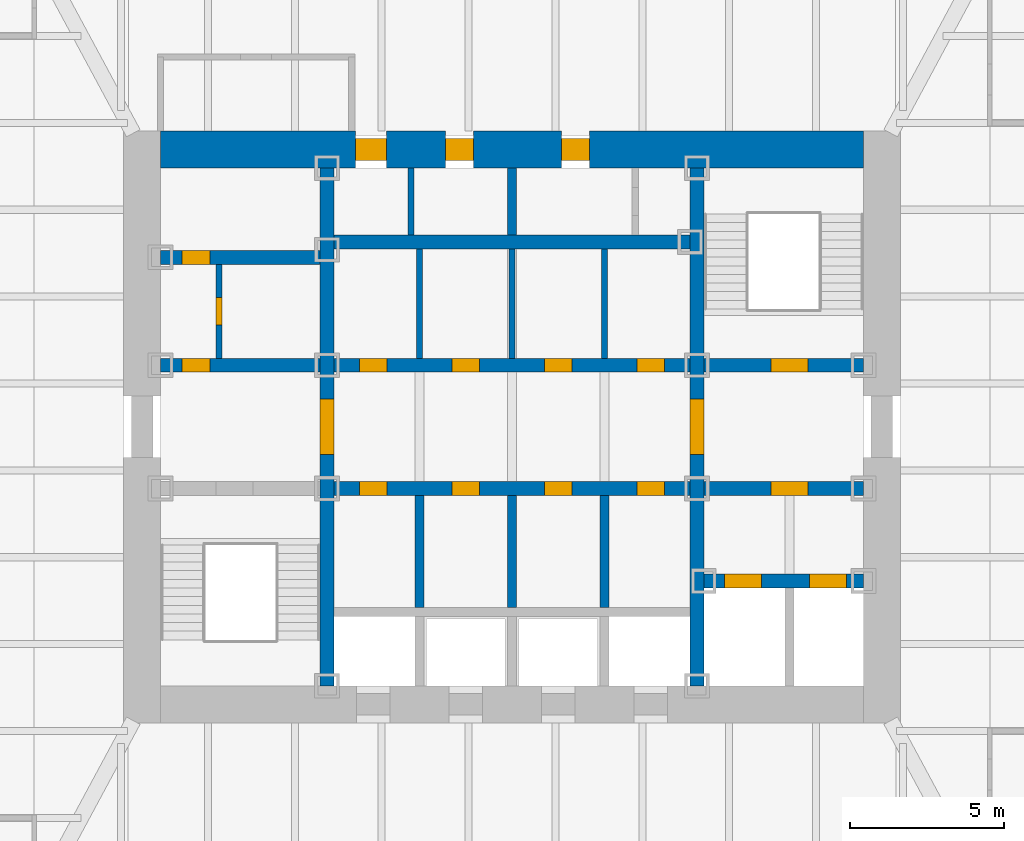
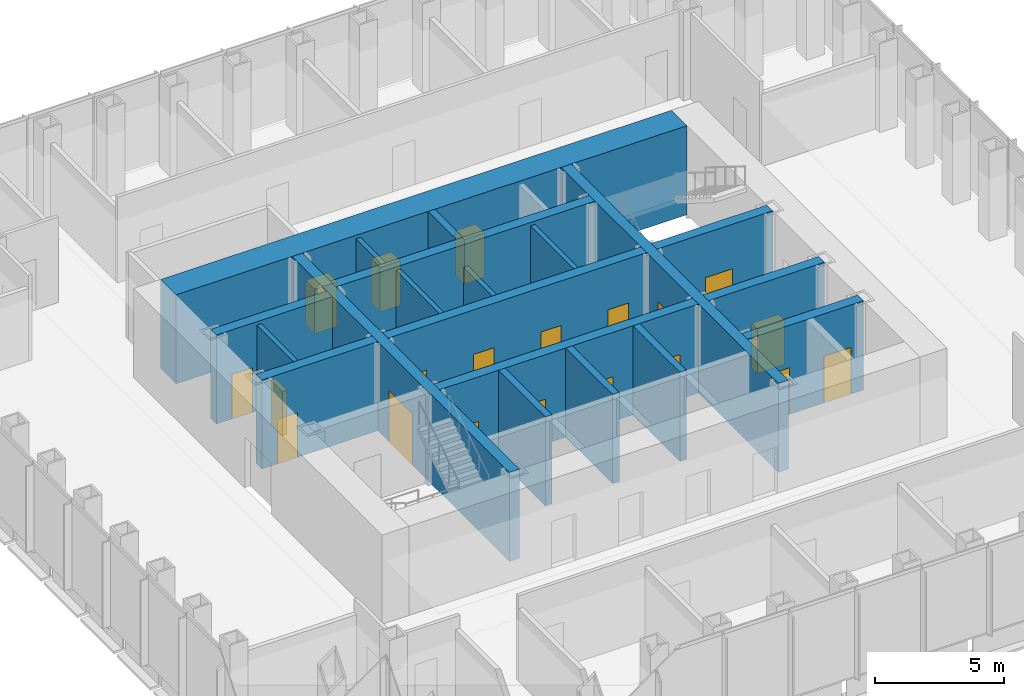
# One storey, part 9 of 16: 20 doors, 20 walls, 20 openings.
"""IFC4 building model written with IfcOpenShell, lengths in metres."""

from ifc_helpers import new_model, si_unit, direction, frame, frame_2d, origin, place, context, subcontext, project, spatial, rectangle, extrude, material, layer, layer_set, type_object, element, fill, save


model = new_model("IFC4")

# Units and contexts
model_context = context("Model", 3, precision=1e-05, world=origin(), true_north=direction((0.0, 1.0)))
body_context = subcontext(model_context, "Body", "Model", "MODEL_VIEW")
ifc_project = project(units=[si_unit("LENGTHUNIT", "METRE"), si_unit("AREAUNIT", "SQUARE_METRE"), si_unit("VOLUMEUNIT", "CUBIC_METRE"), si_unit("PLANEANGLEUNIT", "RADIAN"), si_unit("MASSUNIT", "GRAM", prefix="KILO")], contexts=[model_context])

# Site, building, storey
site_placement = place(None, origin())
site = spatial("IfcSite", under=ifc_project, at=site_placement, CompositionType="ELEMENT")
building_placement = place(site_placement, origin())
building = spatial("IfcBuilding", under=site, at=building_placement, Name="Daluyong Arena Tower", CompositionType="ELEMENT")
storey_placement = place(building_placement, frame((0.0, 0.0, 219.10009765625)))
storey = spatial("IfcBuildingStorey", under=building, at=storey_placement, Name="L49", CompositionType="ELEMENT", Elevation=219.10009765625)

# Wall, opening, door
ifc_material_1 = material(Name="Concrete fc' 45 MPa", Category="concrete")
ifc_layer_1 = layer(ifc_material_1, 0.449951171875)
ifc_layer_set_1 = layer_set([ifc_layer_1], Name="Concrete fc' 45 MPa")
wall_type_1 = type_object("IfcWallType", Name="Core inner wall 450", PredefinedType="SHEAR", material=ifc_layer_set_1)
wall_1_placement = place(storey_placement, frame((50.0, 71.60009765625, 0.0), z_axis=(0.0, 0.0, 1.0), x_axis=(0.0, 1.0, 0.0)))
wall_1 = element("IfcWall", 1, at=wall_1_placement, inside=storey, type_object=wall_type_1, Name="core inner wall at L49", PredefinedType="SHEAR", context=body_context, shape_type="SweptSolid", body=[
    extrude(rectangle(XDim=16.7998046875, YDim=0.449951171875, at=frame_2d((8.39990234375, 0.0))), origin(), (0.0, 0.0, 1.0), 4.199951171875),
])
opening_1_placement = place(wall_1_placement, frame((7.5, 0.0, 0.0)))
opening_1 = element("IfcOpeningElement", 2, at=opening_1_placement, cuts=wall_1, Name="Opening 49020", PredefinedType="OPENING", context=body_context, shape_type="SweptSolid", body=[
    extrude(rectangle(XDim=1.800048828125, YDim=2.39990234375, at=frame_2d((0.89990234375, 1.199951171875))), frame((0.0, 0.23486328125, 0.0), z_axis=(0.0, -1.0, 0.0), x_axis=(1.0, 0.0, 0.0)), (0.0, 0.0, 1.0), 0.469970703125),
])
ifc_material_2 = material(Name="Steel door, fire rated", Category="steel")
door_type_1 = type_object("IfcDoorType", Name="Lift lobby opening door 1800", OperationType="DOUBLE_DOOR_SINGLE_SWING", PredefinedType="DOOR", material=ifc_material_2)
door_1_placement = place(opening_1_placement, origin())
door_1 = element("IfcDoor", 3, at=door_1_placement, inside=storey, type_object=door_type_1, Name="lift lobby door west 49020", OperationType="DOUBLE_DOOR_SINGLE_SWING", OverallHeight=2.39990234375, OverallWidth=1.800048828125, PredefinedType="DOOR", context=body_context, shape_type="SweptSolid", body=[
    extrude(rectangle(XDim=1.800048828125, YDim=2.39990234375, at=frame_2d((0.89990234375, 1.199951171875))), frame((0.0, 0.224609375, 0.0), z_axis=(0.0, -1.0, 0.0), x_axis=(1.0, 0.0, 0.0)), (0.0, 0.0, 1.0), 0.449462890625),
])
fill(opening_1, door_1)

wall_2_placement = place(storey_placement, frame((62.0, 71.60009765625, 0.0), z_axis=(0.0, 0.0, 1.0), x_axis=(0.0, 1.0, 0.0)))
wall_2 = element("IfcWall", 4, at=wall_2_placement, inside=storey, type_object=wall_type_1, Name="core inner wall at L49", PredefinedType="SHEAR", context=body_context, shape_type="SweptSolid", body=[
    extrude(rectangle(XDim=16.7998046875, YDim=0.449951171875, at=frame_2d((8.39990234375, 0.0))), origin(), (0.0, 0.0, 1.0), 4.199951171875),
])
opening_2_placement = place(wall_2_placement, frame((7.5, 0.0, 0.0)))
opening_2 = element("IfcOpeningElement", 5, at=opening_2_placement, cuts=wall_2, Name="Opening 49021", PredefinedType="OPENING", context=body_context, shape_type="SweptSolid", body=[
    extrude(rectangle(XDim=1.800048828125, YDim=2.39990234375, at=frame_2d((0.89990234375, 1.199951171875))), frame((0.0, 0.23486328125, 0.0), z_axis=(0.0, -1.0, 0.0), x_axis=(1.0, 0.0, 0.0)), (0.0, 0.0, 1.0), 0.469970703125),
])
door_2_placement = place(opening_2_placement, origin())
door_2 = element("IfcDoor", 6, at=door_2_placement, inside=storey, type_object=door_type_1, Name="lift lobby door east 49021", OperationType="DOUBLE_DOOR_SINGLE_SWING", OverallHeight=2.39990234375, OverallWidth=1.800048828125, PredefinedType="DOOR", context=body_context, shape_type="SweptSolid", body=[
    extrude(rectangle(XDim=1.800048828125, YDim=2.39990234375, at=frame_2d((0.89990234375, 1.199951171875))), frame((0.0, 0.224609375, 0.0), z_axis=(0.0, -1.0, 0.0), x_axis=(1.0, 0.0, 0.0)), (0.0, 0.0, 1.0), 0.449462890625),
])
fill(opening_2, door_2)

wall_3_placement = place(storey_placement, frame((44.60009765625, 82.0, 0.0), z_axis=(0.0, 0.0, 1.0), x_axis=(1.0, 0.0, 0.0)))
wall_3 = element("IfcWall", 7, at=wall_3_placement, inside=storey, type_object=wall_type_1, Name="core inner wall at L49", PredefinedType="SHEAR", context=body_context, shape_type="SweptSolid", body=[
    extrude(rectangle(XDim=5.1748046875, YDim=0.449951171875, at=frame_2d((2.58740234375, 0.0))), origin(), (0.0, 0.0, 1.0), 4.199951171875),
])
opening_3_placement = place(wall_3_placement, frame((0.699951171875, 0.0, 0.0)))
opening_3 = element("IfcOpeningElement", 8, at=opening_3_placement, cuts=wall_3, Name="Opening 49001", PredefinedType="OPENING", context=body_context, shape_type="SweptSolid", body=[
    extrude(rectangle(XDim=0.89990234375, YDim=2.10009765625, at=frame_2d((0.449951171875, 1.050048828125))), frame((0.0, 0.23486328125, 0.0), z_axis=(0.0, -1.0, 0.0), x_axis=(1.0, 0.0, 0.0)), (0.0, 0.0, 1.0), 0.469970703125),
])
ifc_material_3 = material(Name="Steel door, fire rated", Category="steel")
door_type_2 = type_object("IfcDoorType", Name="Core room door 900", OperationType="SINGLE_SWING_LEFT", PredefinedType="DOOR", material=ifc_material_3)
door_3_placement = place(opening_3_placement, origin())
door_3 = element("IfcDoor", 9, at=door_3_placement, inside=storey, type_object=door_type_2, Name="toilet lobby door 49001", OperationType="SINGLE_SWING_LEFT", OverallHeight=2.10009765625, OverallWidth=0.89990234375, PredefinedType="DOOR", context=body_context, shape_type="SweptSolid", body=[
    extrude(rectangle(XDim=0.89990234375, YDim=2.10009765625, at=frame_2d((0.449951171875, 1.050048828125))), frame((0.0, 0.224609375, 0.0), z_axis=(0.0, -1.0, 0.0), x_axis=(1.0, 0.0, 0.0)), (0.0, 0.0, 1.0), 0.449462890625),
])
fill(opening_3, door_3)

wall_4_placement = place(storey_placement, frame((44.60009765625, 85.5, 0.0), z_axis=(0.0, 0.0, 1.0), x_axis=(1.0, 0.0, 0.0)))
wall_4 = element("IfcWall", 10, at=wall_4_placement, inside=storey, type_object=wall_type_1, Name="core inner wall at L49", PredefinedType="SHEAR", context=body_context, shape_type="SweptSolid", body=[
    extrude(rectangle(XDim=5.1748046875, YDim=0.449951171875, at=frame_2d((2.58740234375, 0.0))), origin(), (0.0, 0.0, 1.0), 4.199951171875),
])
opening_4_placement = place(wall_4_placement, frame((0.699951171875, 0.0, 0.0)))
opening_4 = element("IfcOpeningElement", 11, at=opening_4_placement, cuts=wall_4, Name="Opening 49003", PredefinedType="OPENING", context=body_context, shape_type="SweptSolid", body=[
    extrude(rectangle(XDim=0.89990234375, YDim=2.10009765625, at=frame_2d((0.449951171875, 1.050048828125))), frame((0.0, 0.23486328125, 0.0), z_axis=(0.0, -1.0, 0.0), x_axis=(1.0, 0.0, 0.0)), (0.0, 0.0, 1.0), 0.469970703125),
])
ifc_material_4 = material(Name="Timber door", Category="wood")
door_type_3 = type_object("IfcDoorType", Name="Toilet door 900", OperationType="SINGLE_SWING_RIGHT", PredefinedType="DOOR", material=ifc_material_4)
door_4_placement = place(opening_4_placement, origin())
door_4 = element("IfcDoor", 12, at=door_4_placement, inside=storey, type_object=door_type_3, Name="female toilet door 49003", OperationType="SINGLE_SWING_RIGHT", OverallHeight=2.10009765625, OverallWidth=0.89990234375, PredefinedType="DOOR", context=body_context, shape_type="SweptSolid", body=[
    extrude(rectangle(XDim=0.89990234375, YDim=2.10009765625, at=frame_2d((0.449951171875, 1.050048828125))), frame((0.0, 0.224609375, 0.0), z_axis=(0.0, -1.0, 0.0), x_axis=(1.0, 0.0, 0.0)), (0.0, 0.0, 1.0), 0.449462890625),
])
fill(opening_4, door_4)

# Wall, openings, doors
wall_5_placement = place(storey_placement, frame((62.22509765625, 75.0, 0.0), z_axis=(0.0, 0.0, 1.0), x_axis=(1.0, 0.0, 0.0)))
wall_5 = element("IfcWall", 13, at=wall_5_placement, inside=storey, type_object=wall_type_1, Name="core inner wall at L49", PredefinedType="SHEAR", context=body_context, shape_type="SweptSolid", body=[
    extrude(rectangle(XDim=5.1748046875, YDim=0.449951171875, at=frame_2d((2.58740234375, 0.0))), origin(), (0.0, 0.0, 1.0), 4.199951171875),
])
opening_5_placement = place(wall_5_placement, frame((0.675048828125, 0.0, 0.0)))
opening_5 = element("IfcOpeningElement", 14, at=opening_5_placement, cuts=wall_5, Name="Opening 49027", PredefinedType="OPENING", context=body_context, shape_type="SweptSolid", body=[
    extrude(rectangle(XDim=1.199951171875, YDim=2.199951171875, at=frame_2d((0.60009765625, 1.10009765625))), frame((0.0, 0.23486328125, 0.0), z_axis=(0.0, -1.0, 0.0), x_axis=(1.0, 0.0, 0.0)), (0.0, 0.0, 1.0), 0.469970703125),
])
opening_6_placement = place(wall_5_placement, frame((3.425048828125, 0.0, 0.0)))
opening_6 = element("IfcOpeningElement", 15, at=opening_6_placement, cuts=wall_5, Name="Opening 49028", PredefinedType="OPENING", context=body_context, shape_type="SweptSolid", body=[
    extrude(rectangle(XDim=1.199951171875, YDim=2.199951171875, at=frame_2d((0.60009765625, 1.10009765625))), frame((0.0, 0.23486328125, 0.0), z_axis=(0.0, -1.0, 0.0), x_axis=(1.0, 0.0, 0.0)), (0.0, 0.0, 1.0), 0.469970703125),
])
ifc_material_5 = material(Name="Steel door, fire rated", Category="steel")
door_type_4 = type_object("IfcDoorType", Name="Firefighting lift landing door 1200", OperationType="SLIDING_TO_LEFT", PredefinedType="DOOR", material=ifc_material_5)
door_5_placement = place(opening_5_placement, origin())
door_5 = element("IfcDoor", 16, at=door_5_placement, inside=storey, type_object=door_type_4, Name="firefighting lift landing door F1 49027", OperationType="SLIDING_TO_LEFT", OverallHeight=2.199951171875, OverallWidth=1.199951171875, PredefinedType="DOOR", context=body_context, shape_type="SweptSolid", body=[
    extrude(rectangle(XDim=1.199951171875, YDim=2.199951171875, at=frame_2d((0.60009765625, 1.10009765625))), frame((0.0, 0.224609375, 0.0), z_axis=(0.0, -1.0, 0.0), x_axis=(1.0, 0.0, 0.0)), (0.0, 0.0, 1.0), 0.449462890625),
])
fill(opening_5, door_5)
door_6_placement = place(opening_6_placement, origin())
door_6 = element("IfcDoor", 17, at=door_6_placement, inside=storey, type_object=door_type_4, Name="firefighting lift landing door F2 49028", OperationType="SLIDING_TO_LEFT", OverallHeight=2.199951171875, OverallWidth=1.199951171875, PredefinedType="DOOR", context=body_context, shape_type="SweptSolid", body=[
    extrude(rectangle(XDim=1.199951171875, YDim=2.199951171875, at=frame_2d((0.60009765625, 1.10009765625))), frame((0.0, 0.224609375, 0.0), z_axis=(0.0, -1.0, 0.0), x_axis=(1.0, 0.0, 0.0)), (0.0, 0.0, 1.0), 0.449462890625),
])
fill(opening_6, door_6)

# Wall, opening, door
wall_6_placement = place(storey_placement, frame((62.22509765625, 78.0, 0.0), z_axis=(0.0, 0.0, 1.0), x_axis=(1.0, 0.0, 0.0)))
wall_6 = element("IfcWall", 18, at=wall_6_placement, inside=storey, type_object=wall_type_1, Name="core inner wall at L49", PredefinedType="SHEAR", context=body_context, shape_type="SweptSolid", body=[
    extrude(rectangle(XDim=5.1748046875, YDim=0.449951171875, at=frame_2d((2.58740234375, 0.0))), origin(), (0.0, 0.0, 1.0), 4.199951171875),
])
opening_7_placement = place(wall_6_placement, frame((2.175048828125, 0.0, 0.0)))
opening_7 = element("IfcOpeningElement", 19, at=opening_7_placement, cuts=wall_6, Name="Opening 49022", PredefinedType="OPENING", context=body_context, shape_type="SweptSolid", body=[
    extrude(rectangle(XDim=1.199951171875, YDim=2.10009765625, at=frame_2d((0.60009765625, 1.050048828125))), frame((0.0, 0.23486328125, 0.0), z_axis=(0.0, -1.0, 0.0), x_axis=(1.0, 0.0, 0.0)), (0.0, 0.0, 1.0), 0.469970703125),
])
ifc_material_6 = material(Name="Steel door, fire rated", Category="steel")
door_type_5 = type_object("IfcDoorType", Name="Firefighting lobby door 1200", OperationType="SINGLE_SWING_RIGHT", PredefinedType="DOOR", material=ifc_material_6)
door_7_placement = place(opening_7_placement, origin())
door_7 = element("IfcDoor", 20, at=door_7_placement, inside=storey, type_object=door_type_5, Name="firefighting lobby door 49022", OperationType="SINGLE_SWING_RIGHT", OverallHeight=2.10009765625, OverallWidth=1.199951171875, PredefinedType="DOOR", context=body_context, shape_type="SweptSolid", body=[
    extrude(rectangle(XDim=1.199951171875, YDim=2.10009765625, at=frame_2d((0.60009765625, 1.050048828125))), frame((0.0, 0.224609375, 0.0), z_axis=(0.0, -1.0, 0.0), x_axis=(1.0, 0.0, 0.0)), (0.0, 0.0, 1.0), 0.449462890625),
])
fill(opening_7, door_7)

wall_7_placement = place(storey_placement, frame((62.22509765625, 82.0, 0.0), z_axis=(0.0, 0.0, 1.0), x_axis=(1.0, 0.0, 0.0)))
wall_7 = element("IfcWall", 21, at=wall_7_placement, inside=storey, type_object=wall_type_1, Name="core inner wall at L49", PredefinedType="SHEAR", context=body_context, shape_type="SweptSolid", body=[
    extrude(rectangle(XDim=5.1748046875, YDim=0.449951171875, at=frame_2d((2.58740234375, 0.0))), origin(), (0.0, 0.0, 1.0), 4.199951171875),
])
opening_8_placement = place(wall_7_placement, frame((2.175048828125, 0.0, 0.0)))
opening_8 = element("IfcOpeningElement", 22, at=opening_8_placement, cuts=wall_7, Name="Opening 49017", PredefinedType="OPENING", context=body_context, shape_type="SweptSolid", body=[
    extrude(rectangle(XDim=1.199951171875, YDim=2.10009765625, at=frame_2d((0.60009765625, 1.050048828125))), frame((0.0, 0.23486328125, 0.0), z_axis=(0.0, -1.0, 0.0), x_axis=(1.0, 0.0, 0.0)), (0.0, 0.0, 1.0), 0.469970703125),
])
ifc_material_7 = material(Name="Steel door, fire rated", Category="steel")
door_type_6 = type_object("IfcDoorType", Name="Stair door 1200", OperationType="SINGLE_SWING_LEFT", PredefinedType="DOOR", material=ifc_material_7)
door_8_placement = place(opening_8_placement, origin())
door_8 = element("IfcDoor", 23, at=door_8_placement, inside=storey, type_object=door_type_6, Name="stair B door 49017", OperationType="SINGLE_SWING_LEFT", OverallHeight=2.10009765625, OverallWidth=1.199951171875, PredefinedType="DOOR", context=body_context, shape_type="SweptSolid", body=[
    extrude(rectangle(XDim=1.199951171875, YDim=2.10009765625, at=frame_2d((0.60009765625, 1.050048828125))), frame((0.0, 0.224609375, 0.0), z_axis=(0.0, -1.0, 0.0), x_axis=(1.0, 0.0, 0.0)), (0.0, 0.0, 1.0), 0.449462890625),
])
fill(opening_8, door_8)

# Wall, openings, doors
wall_8_placement = place(storey_placement, frame((50.22509765625, 78.0, 0.0), z_axis=(0.0, 0.0, 1.0), x_axis=(1.0, 0.0, 0.0)))
wall_8 = element("IfcWall", 24, at=wall_8_placement, inside=storey, type_object=wall_type_1, Name="core inner wall at L49", PredefinedType="SHEAR", context=body_context, shape_type="SweptSolid", body=[
    extrude(rectangle(XDim=11.5498046875, YDim=0.449951171875, at=frame_2d((5.77490234375, 0.0))), origin(), (0.0, 0.0, 1.0), 4.199951171875),
])
opening_9_placement = place(wall_8_placement, frame((0.824951171875, 0.0, 0.0)))
opening_9 = element("IfcOpeningElement", 25, at=opening_9_placement, cuts=wall_8, Name="Opening 49008", PredefinedType="OPENING", context=body_context, shape_type="SweptSolid", body=[
    extrude(rectangle(XDim=0.89990234375, YDim=2.10009765625, at=frame_2d((0.449951171875, 1.050048828125))), frame((0.0, 0.23486328125, 0.0), z_axis=(0.0, -1.0, 0.0), x_axis=(1.0, 0.0, 0.0)), (0.0, 0.0, 1.0), 0.469970703125),
])
opening_10_placement = place(wall_8_placement, frame((3.824951171875, 0.0, 0.0)))
opening_10 = element("IfcOpeningElement", 26, at=opening_10_placement, cuts=wall_8, Name="Opening 49009", PredefinedType="OPENING", context=body_context, shape_type="SweptSolid", body=[
    extrude(rectangle(XDim=0.89990234375, YDim=2.10009765625, at=frame_2d((0.449951171875, 1.050048828125))), frame((0.0, 0.23486328125, 0.0), z_axis=(0.0, -1.0, 0.0), x_axis=(1.0, 0.0, 0.0)), (0.0, 0.0, 1.0), 0.469970703125),
])
opening_11_placement = place(wall_8_placement, frame((6.824951171875, 0.0, 0.0)))
opening_11 = element("IfcOpeningElement", 27, at=opening_11_placement, cuts=wall_8, Name="Opening 49010", PredefinedType="OPENING", context=body_context, shape_type="SweptSolid", body=[
    extrude(rectangle(XDim=0.89990234375, YDim=2.10009765625, at=frame_2d((0.449951171875, 1.050048828125))), frame((0.0, 0.23486328125, 0.0), z_axis=(0.0, -1.0, 0.0), x_axis=(1.0, 0.0, 0.0)), (0.0, 0.0, 1.0), 0.469970703125),
])
opening_12_placement = place(wall_8_placement, frame((9.824951171875, 0.0, 0.0)))
opening_12 = element("IfcOpeningElement", 28, at=opening_12_placement, cuts=wall_8, Name="Opening 49011", PredefinedType="OPENING", context=body_context, shape_type="SweptSolid", body=[
    extrude(rectangle(XDim=0.89990234375, YDim=2.10009765625, at=frame_2d((0.449951171875, 1.050048828125))), frame((0.0, 0.23486328125, 0.0), z_axis=(0.0, -1.0, 0.0), x_axis=(1.0, 0.0, 0.0)), (0.0, 0.0, 1.0), 0.469970703125),
])
door_9_placement = place(opening_9_placement, origin())
door_9 = element("IfcDoor", 29, at=door_9_placement, inside=storey, type_object=door_type_2, Name="tea point door 49008", OperationType="SINGLE_SWING_LEFT", OverallHeight=2.10009765625, OverallWidth=0.89990234375, PredefinedType="DOOR", context=body_context, shape_type="SweptSolid", body=[
    extrude(rectangle(XDim=0.89990234375, YDim=2.10009765625, at=frame_2d((0.449951171875, 1.050048828125))), frame((0.0, 0.224609375, 0.0), z_axis=(0.0, -1.0, 0.0), x_axis=(1.0, 0.0, 0.0)), (0.0, 0.0, 1.0), 0.449462890625),
])
fill(opening_9, door_9)
door_10_placement = place(opening_12_placement, origin())
door_10 = element("IfcDoor", 30, at=door_10_placement, inside=storey, type_object=door_type_2, Name="mail room door 49011", OperationType="SINGLE_SWING_LEFT", OverallHeight=2.10009765625, OverallWidth=0.89990234375, PredefinedType="DOOR", context=body_context, shape_type="SweptSolid", body=[
    extrude(rectangle(XDim=0.89990234375, YDim=2.10009765625, at=frame_2d((0.449951171875, 1.050048828125))), frame((0.0, 0.224609375, 0.0), z_axis=(0.0, -1.0, 0.0), x_axis=(1.0, 0.0, 0.0)), (0.0, 0.0, 1.0), 0.449462890625),
])
fill(opening_12, door_10)
ifc_material_8 = material(Name="Steel door, fire rated", Category="steel")
door_type_7 = type_object("IfcDoorType", Name="Core store door 900", OperationType="SINGLE_SWING_LEFT", PredefinedType="DOOR", material=ifc_material_8)
door_11_placement = place(opening_10_placement, origin())
door_11 = element("IfcDoor", 31, at=door_11_placement, inside=storey, type_object=door_type_7, Name="stationery store door 49009", OperationType="SINGLE_SWING_LEFT", OverallHeight=2.10009765625, OverallWidth=0.89990234375, PredefinedType="DOOR", context=body_context, shape_type="SweptSolid", body=[
    extrude(rectangle(XDim=0.89990234375, YDim=2.10009765625, at=frame_2d((0.449951171875, 1.050048828125))), frame((0.0, 0.224609375, 0.0), z_axis=(0.0, -1.0, 0.0), x_axis=(1.0, 0.0, 0.0)), (0.0, 0.0, 1.0), 0.449462890625),
])
fill(opening_10, door_11)
door_12_placement = place(opening_11_placement, origin())
door_12 = element("IfcDoor", 32, at=door_12_placement, inside=storey, type_object=door_type_7, Name="furniture store door 49010", OperationType="SINGLE_SWING_LEFT", OverallHeight=2.10009765625, OverallWidth=0.89990234375, PredefinedType="DOOR", context=body_context, shape_type="SweptSolid", body=[
    extrude(rectangle(XDim=0.89990234375, YDim=2.10009765625, at=frame_2d((0.449951171875, 1.050048828125))), frame((0.0, 0.224609375, 0.0), z_axis=(0.0, -1.0, 0.0), x_axis=(1.0, 0.0, 0.0)), (0.0, 0.0, 1.0), 0.449462890625),
])
fill(opening_11, door_12)

wall_9_placement = place(storey_placement, frame((50.22509765625, 82.0, 0.0), z_axis=(0.0, 0.0, 1.0), x_axis=(1.0, 0.0, 0.0)))
wall_9 = element("IfcWall", 33, at=wall_9_placement, inside=storey, type_object=wall_type_1, Name="core inner wall at L49", PredefinedType="SHEAR", context=body_context, shape_type="SweptSolid", body=[
    extrude(rectangle(XDim=11.5498046875, YDim=0.449951171875, at=frame_2d((5.77490234375, 0.0))), origin(), (0.0, 0.0, 1.0), 4.199951171875),
])
opening_13_placement = place(wall_9_placement, frame((0.824951171875, 0.0, 0.0)))
opening_13 = element("IfcOpeningElement", 34, at=opening_13_placement, cuts=wall_9, Name="Opening 49012", PredefinedType="OPENING", context=body_context, shape_type="SweptSolid", body=[
    extrude(rectangle(XDim=0.89990234375, YDim=2.10009765625, at=frame_2d((0.449951171875, 1.050048828125))), frame((0.0, 0.23486328125, 0.0), z_axis=(0.0, -1.0, 0.0), x_axis=(1.0, 0.0, 0.0)), (0.0, 0.0, 1.0), 0.469970703125),
])
opening_14_placement = place(wall_9_placement, frame((3.824951171875, 0.0, 0.0)))
opening_14 = element("IfcOpeningElement", 35, at=opening_14_placement, cuts=wall_9, Name="Opening 49013", PredefinedType="OPENING", context=body_context, shape_type="SweptSolid", body=[
    extrude(rectangle(XDim=0.89990234375, YDim=2.10009765625, at=frame_2d((0.449951171875, 1.050048828125))), frame((0.0, 0.23486328125, 0.0), z_axis=(0.0, -1.0, 0.0), x_axis=(1.0, 0.0, 0.0)), (0.0, 0.0, 1.0), 0.469970703125),
])
opening_15_placement = place(wall_9_placement, frame((6.824951171875, 0.0, 0.0)))
opening_15 = element("IfcOpeningElement", 36, at=opening_15_placement, cuts=wall_9, Name="Opening 49014", PredefinedType="OPENING", context=body_context, shape_type="SweptSolid", body=[
    extrude(rectangle(XDim=0.89990234375, YDim=2.10009765625, at=frame_2d((0.449951171875, 1.050048828125))), frame((0.0, 0.23486328125, 0.0), z_axis=(0.0, -1.0, 0.0), x_axis=(1.0, 0.0, 0.0)), (0.0, 0.0, 1.0), 0.469970703125),
])
opening_16_placement = place(wall_9_placement, frame((9.824951171875, 0.0, 0.0)))
opening_16 = element("IfcOpeningElement", 37, at=opening_16_placement, cuts=wall_9, Name="Opening 49015", PredefinedType="OPENING", context=body_context, shape_type="SweptSolid", body=[
    extrude(rectangle(XDim=0.89990234375, YDim=2.10009765625, at=frame_2d((0.449951171875, 1.050048828125))), frame((0.0, 0.23486328125, 0.0), z_axis=(0.0, -1.0, 0.0), x_axis=(1.0, 0.0, 0.0)), (0.0, 0.0, 1.0), 0.469970703125),
])
door_13_placement = place(opening_13_placement, origin())
door_13 = element("IfcDoor", 38, at=door_13_placement, inside=storey, type_object=door_type_2, Name="vending room door 49012", OperationType="SINGLE_SWING_LEFT", OverallHeight=2.10009765625, OverallWidth=0.89990234375, PredefinedType="DOOR", context=body_context, shape_type="SweptSolid", body=[
    extrude(rectangle(XDim=0.89990234375, YDim=2.10009765625, at=frame_2d((0.449951171875, 1.050048828125))), frame((0.0, 0.224609375, 0.0), z_axis=(0.0, -1.0, 0.0), x_axis=(1.0, 0.0, 0.0)), (0.0, 0.0, 1.0), 0.449462890625),
])
fill(opening_13, door_13)
door_14_placement = place(opening_16_placement, origin())
door_14 = element("IfcDoor", 39, at=door_14_placement, inside=storey, type_object=door_type_2, Name="parcel room door 49015", OperationType="SINGLE_SWING_LEFT", OverallHeight=2.10009765625, OverallWidth=0.89990234375, PredefinedType="DOOR", context=body_context, shape_type="SweptSolid", body=[
    extrude(rectangle(XDim=0.89990234375, YDim=2.10009765625, at=frame_2d((0.449951171875, 1.050048828125))), frame((0.0, 0.224609375, 0.0), z_axis=(0.0, -1.0, 0.0), x_axis=(1.0, 0.0, 0.0)), (0.0, 0.0, 1.0), 0.449462890625),
])
fill(opening_16, door_14)
door_15_placement = place(opening_15_placement, origin())
door_15 = element("IfcDoor", 40, at=door_15_placement, inside=storey, type_object=door_type_7, Name="tenant store door 49014", OperationType="SINGLE_SWING_LEFT", OverallHeight=2.10009765625, OverallWidth=0.89990234375, PredefinedType="DOOR", context=body_context, shape_type="SweptSolid", body=[
    extrude(rectangle(XDim=0.89990234375, YDim=2.10009765625, at=frame_2d((0.449951171875, 1.050048828125))), frame((0.0, 0.224609375, 0.0), z_axis=(0.0, -1.0, 0.0), x_axis=(1.0, 0.0, 0.0)), (0.0, 0.0, 1.0), 0.449462890625),
])
fill(opening_15, door_15)
ifc_material_9 = material(Name="Steel door, fire rated", Category="steel")
door_type_8 = type_object("IfcDoorType", Name="Plant room door 900", OperationType="SINGLE_SWING_LEFT", PredefinedType="DOOR", material=ifc_material_9)
door_16_placement = place(opening_14_placement, origin())
door_16 = element("IfcDoor", 41, at=door_16_placement, inside=storey, type_object=door_type_8, Name="comms room door 49013", OperationType="SINGLE_SWING_LEFT", OverallHeight=2.10009765625, OverallWidth=0.89990234375, PredefinedType="DOOR", context=body_context, shape_type="SweptSolid", body=[
    extrude(rectangle(XDim=0.89990234375, YDim=2.10009765625, at=frame_2d((0.449951171875, 1.050048828125))), frame((0.0, 0.224609375, 0.0), z_axis=(0.0, -1.0, 0.0), x_axis=(1.0, 0.0, 0.0)), (0.0, 0.0, 1.0), 0.449462890625),
])
fill(opening_14, door_16)

# Wall
wall_10_placement = place(storey_placement, frame((50.22509765625, 86.0, 0.0), z_axis=(0.0, 0.0, 1.0), x_axis=(1.0, 0.0, 0.0)))
element("IfcWall", 42, at=wall_10_placement, inside=storey, type_object=wall_type_1, Name="core inner wall at L49", PredefinedType="SHEAR", context=body_context, shape_type="SweptSolid", body=[
    extrude(rectangle(XDim=11.5498046875, YDim=0.449951171875, at=frame_2d((5.77490234375, 0.0))), origin(), (0.0, 0.0, 1.0), 4.199951171875),
])

# Wall, openings, doors
ifc_material_10 = material(Name="Concrete fc' 60 MPa", Category="concrete")
ifc_layer_2 = layer(ifc_material_10, 1.199951171875)
ifc_layer_set_2 = layer_set([ifc_layer_2], Name="Concrete fc' 60 MPa")
wall_type_2 = type_object("IfcWallType", Name="Core wall 1200", PredefinedType="SHEAR", material=ifc_layer_set_2)
wall_11_placement = place(storey_placement, frame((44.60009765625, 89.0, 0.0), z_axis=(0.0, 0.0, 1.0), x_axis=(1.0, 0.0, 0.0)))
wall_11 = element("IfcWall", 43, at=wall_11_placement, inside=storey, type_object=wall_type_2, Name="core wall at L49", PredefinedType="SHEAR", context=body_context, shape_type="SweptSolid", body=[
    extrude(rectangle(XDim=22.7998046875, YDim=1.199951171875, at=frame_2d((11.39990234375, 0.0))), origin(), (0.0, 0.0, 1.0), 4.199951171875),
])
opening_17_placement = place(wall_11_placement, frame((6.324951171875, 0.0, 0.0)))
opening_17 = element("IfcOpeningElement", 44, at=opening_17_placement, cuts=wall_11, Name="Opening 49004", PredefinedType="OPENING", context=body_context, shape_type="SweptSolid", body=[
    extrude(rectangle(XDim=1.0, YDim=2.10009765625, at=frame_2d((0.5, 1.050048828125))), frame((0.0, 0.60986328125, 0.0), z_axis=(0.0, -1.0, 0.0), x_axis=(1.0, 0.0, 0.0)), (0.0, 0.0, 1.0), 1.219970703125),
])
opening_18_placement = place(wall_11_placement, frame((9.25, 0.0, 0.0)))
opening_18 = element("IfcOpeningElement", 45, at=opening_18_placement, cuts=wall_11, Name="Opening 49005", PredefinedType="OPENING", context=body_context, shape_type="SweptSolid", body=[
    extrude(rectangle(XDim=0.89990234375, YDim=2.10009765625, at=frame_2d((0.449951171875, 1.050048828125))), frame((0.0, 0.60986328125, 0.0), z_axis=(0.0, -1.0, 0.0), x_axis=(1.0, 0.0, 0.0)), (0.0, 0.0, 1.0), 1.219970703125),
])
opening_19_placement = place(wall_11_placement, frame((13.012451171875, 0.0, 0.0)))
opening_19 = element("IfcOpeningElement", 46, at=opening_19_placement, cuts=wall_11, Name="Opening 49006", PredefinedType="OPENING", context=body_context, shape_type="SweptSolid", body=[
    extrude(rectangle(XDim=0.89990234375, YDim=2.10009765625, at=frame_2d((0.449951171875, 1.050048828125))), frame((0.0, 0.60986328125, 0.0), z_axis=(0.0, -1.0, 0.0), x_axis=(1.0, 0.0, 0.0)), (0.0, 0.0, 1.0), 1.219970703125),
])
ifc_material_11 = material(Name="Timber door", Category="wood")
door_type_9 = type_object("IfcDoorType", Name="Accessible toilet door 1000", OperationType="SINGLE_SWING_LEFT", PredefinedType="DOOR", material=ifc_material_11)
door_17_placement = place(opening_17_placement, origin())
door_17 = element("IfcDoor", 47, at=door_17_placement, inside=storey, type_object=door_type_9, Name="accessible toilet door 49004", OperationType="SINGLE_SWING_LEFT", OverallHeight=2.10009765625, OverallWidth=1.0, PredefinedType="DOOR", context=body_context, shape_type="SweptSolid", body=[
    extrude(rectangle(XDim=1.0, YDim=2.10009765625, at=frame_2d((0.5, 1.050048828125))), frame((0.0, 0.35009765625, 0.0), z_axis=(0.0, -1.0, 0.0), x_axis=(1.0, 0.0, 0.0)), (0.0, 0.0, 1.0), 0.699951171875),
])
fill(opening_17, door_17)
door_18_placement = place(opening_18_placement, origin())
door_18 = element("IfcDoor", 48, at=door_18_placement, inside=storey, type_object=door_type_7, Name="security store door 49005", OperationType="SINGLE_SWING_LEFT", OverallHeight=2.10009765625, OverallWidth=0.89990234375, PredefinedType="DOOR", context=body_context, shape_type="SweptSolid", body=[
    extrude(rectangle(XDim=0.89990234375, YDim=2.10009765625, at=frame_2d((0.449951171875, 1.050048828125))), frame((0.0, 0.35009765625, 0.0), z_axis=(0.0, -1.0, 0.0), x_axis=(1.0, 0.0, 0.0)), (0.0, 0.0, 1.0), 0.699951171875),
])
fill(opening_18, door_18)
door_19_placement = place(opening_19_placement, origin())
door_19 = element("IfcDoor", 49, at=door_19_placement, inside=storey, type_object=door_type_7, Name="cleaner's store door 49006", OperationType="SINGLE_SWING_LEFT", OverallHeight=2.10009765625, OverallWidth=0.89990234375, PredefinedType="DOOR", context=body_context, shape_type="SweptSolid", body=[
    extrude(rectangle(XDim=0.89990234375, YDim=2.10009765625, at=frame_2d((0.449951171875, 1.050048828125))), frame((0.0, 0.35009765625, 0.0), z_axis=(0.0, -1.0, 0.0), x_axis=(1.0, 0.0, 0.0)), (0.0, 0.0, 1.0), 0.699951171875),
])
fill(opening_19, door_19)

# Wall, opening, door
ifc_material_12 = material(Name="Concrete block partition, fire rated", Category="concrete")
ifc_layer_3 = layer(ifc_material_12, 0.199951171875)
ifc_layer_set_3 = layer_set([ifc_layer_3], Name="Concrete block partition, fire rated")
wall_type_3 = type_object("IfcWallType", Name="Fire-rated partition 200", PredefinedType="PARTITIONING", material=ifc_layer_set_3)
wall_12_placement = place(storey_placement, frame((46.5, 82.22509765625, 0.0), z_axis=(0.0, 0.0, 1.0), x_axis=(0.0, 1.0, 0.0)))
wall_12 = element("IfcWall", 50, at=wall_12_placement, inside=storey, type_object=wall_type_3, Name="toilet lobby partition at L49", PredefinedType="PARTITIONING", context=body_context, shape_type="SweptSolid", body=[
    extrude(rectangle(XDim=3.0498046875, YDim=0.199951171875, at=frame_2d((1.52490234375, 0.0))), origin(), (0.0, 0.0, 1.0), 4.039794921875),
])
opening_20_placement = place(wall_12_placement, frame((1.074951171875, 0.0, 0.0)))
opening_20 = element("IfcOpeningElement", 51, at=opening_20_placement, cuts=wall_12, Name="Opening 49002", PredefinedType="OPENING", context=body_context, shape_type="SweptSolid", body=[
    extrude(rectangle(XDim=0.89990234375, YDim=2.10009765625, at=frame_2d((0.449951171875, 1.050048828125))), frame((0.0, 0.10986328125, 0.0), z_axis=(0.0, -1.0, 0.0), x_axis=(1.0, 0.0, 0.0)), (0.0, 0.0, 1.0), 0.219970703125),
])
door_20_placement = place(opening_20_placement, origin())
door_20 = element("IfcDoor", 52, at=door_20_placement, inside=storey, type_object=door_type_3, Name="male toilet door 49002", OperationType="SINGLE_SWING_RIGHT", OverallHeight=2.10009765625, OverallWidth=0.89990234375, PredefinedType="DOOR", context=body_context, shape_type="SweptSolid", body=[
    extrude(rectangle(XDim=0.89990234375, YDim=2.10009765625, at=frame_2d((0.449951171875, 1.050048828125))), frame((0.0, 0.099609375, 0.0), z_axis=(0.0, -1.0, 0.0), x_axis=(1.0, 0.0, 0.0)), (0.0, 0.0, 1.0), 0.199462890625),
])
fill(opening_20, door_20)

# Walls
wall_13_placement = place(storey_placement, frame((52.72509765625, 86.22509765625, 0.0), z_axis=(0.0, 0.0, 1.0), x_axis=(0.0, 1.0, 0.0)))
element("IfcWall", 53, at=wall_13_placement, inside=storey, type_object=wall_type_3, Name="core room partition at L49", PredefinedType="PARTITIONING", context=body_context, shape_type="SweptSolid", body=[
    extrude(rectangle(XDim=2.1748046875, YDim=0.199951171875, at=frame_2d((1.08740234375, 0.0))), origin(), (0.0, 0.0, 1.0), 4.039794921875),
])
wall_14_placement = place(storey_placement, frame((53.0, 82.22509765625, 0.0), z_axis=(0.0, 0.0, 1.0), x_axis=(0.0, 1.0, 0.0)))
element("IfcWall", 54, at=wall_14_placement, inside=storey, type_object=wall_type_3, Name="core room partition at L49", PredefinedType="PARTITIONING", context=body_context, shape_type="SweptSolid", body=[
    extrude(rectangle(XDim=3.5498046875, YDim=0.199951171875, at=frame_2d((1.77490234375, 0.0))), origin(), (0.0, 0.0, 1.0), 4.039794921875),
])
wall_15_placement = place(storey_placement, frame((56.0, 82.22509765625, 0.0), z_axis=(0.0, 0.0, 1.0), x_axis=(0.0, 1.0, 0.0)))
element("IfcWall", 55, at=wall_15_placement, inside=storey, type_object=wall_type_3, Name="core room partition at L49", PredefinedType="PARTITIONING", context=body_context, shape_type="SweptSolid", body=[
    extrude(rectangle(XDim=3.5498046875, YDim=0.199951171875, at=frame_2d((1.77490234375, 0.0))), origin(), (0.0, 0.0, 1.0), 3.139892578125),
])
wall_16_placement = place(storey_placement, frame((59.0, 82.22509765625, 0.0), z_axis=(0.0, 0.0, 1.0), x_axis=(0.0, 1.0, 0.0)))
element("IfcWall", 56, at=wall_16_placement, inside=storey, type_object=wall_type_3, Name="core room partition at L49", PredefinedType="PARTITIONING", context=body_context, shape_type="SweptSolid", body=[
    extrude(rectangle(XDim=3.5498046875, YDim=0.199951171875, at=frame_2d((1.77490234375, 0.0))), origin(), (0.0, 0.0, 1.0), 4.039794921875),
])
ifc_material_13 = material(Name="Concrete fc' 45 MPa", Category="concrete")
ifc_layer_4 = layer(ifc_material_13, 0.300048828125)
ifc_layer_set_4 = layer_set([ifc_layer_4], Name="Concrete fc' 45 MPa")
wall_type_4 = type_object("IfcWallType", Name="Lift shaft wall 300", PredefinedType="SHEAR", material=ifc_layer_set_4)
for number, where, z_axis, x_axis, name in (
    (57, (53.0, 74.14990234375, 0.0), (0.0, 0.0, 1.0), (0.0, 1.0, 0.0), "lift shaft wall at L49"),
    (58, (56.0, 74.14990234375, 0.0), (0.0, 0.0, 1.0), (0.0, 1.0, 0.0), "lift shaft wall at L49"),
    (59, (59.0, 74.14990234375, 0.0), (0.0, 0.0, 1.0), (0.0, 1.0, 0.0), "lift shaft wall at L49"),
):
    element("IfcWall", number, at=place(storey_placement, frame(where, z_axis=z_axis, x_axis=x_axis)), inside=storey, type_object=wall_type_4, Name=name, PredefinedType="SHEAR", context=body_context, shape_type="SweptSolid", body=[
        extrude(rectangle(XDim=3.625, YDim=0.300048828125, at=frame_2d((1.8125, 0.0))), origin(), (0.0, 0.0, 1.0), 4.199951171875),
    ])
wall_17_placement = place(storey_placement, frame((56.0, 86.22509765625, 0.0), z_axis=(0.0, 0.0, 1.0), x_axis=(0.0, 1.0, 0.0)))
element("IfcWall", 60, at=wall_17_placement, inside=storey, type_object=wall_type_4, Name="lift shaft wall at L49", PredefinedType="SHEAR", context=body_context, shape_type="SweptSolid", body=[
    extrude(rectangle(XDim=2.1748046875, YDim=0.300048828125, at=frame_2d((1.08740234375, 0.0))), origin(), (0.0, 0.0, 1.0), 4.199951171875),
])

save(model, "model.ifc")
